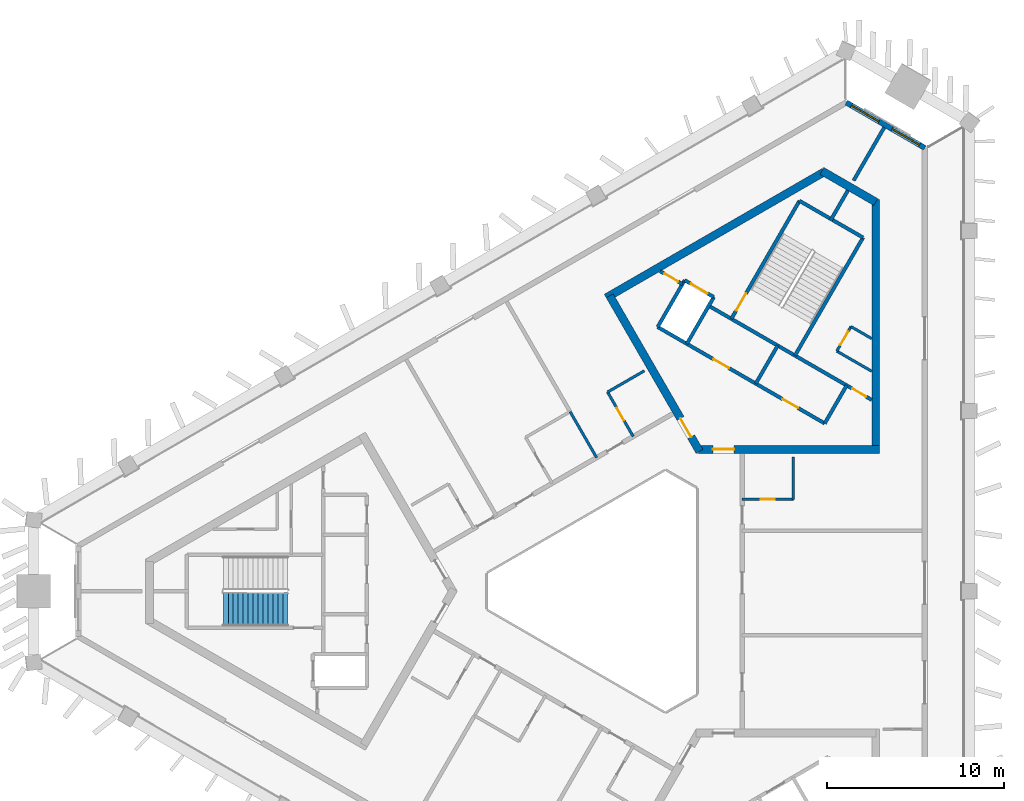
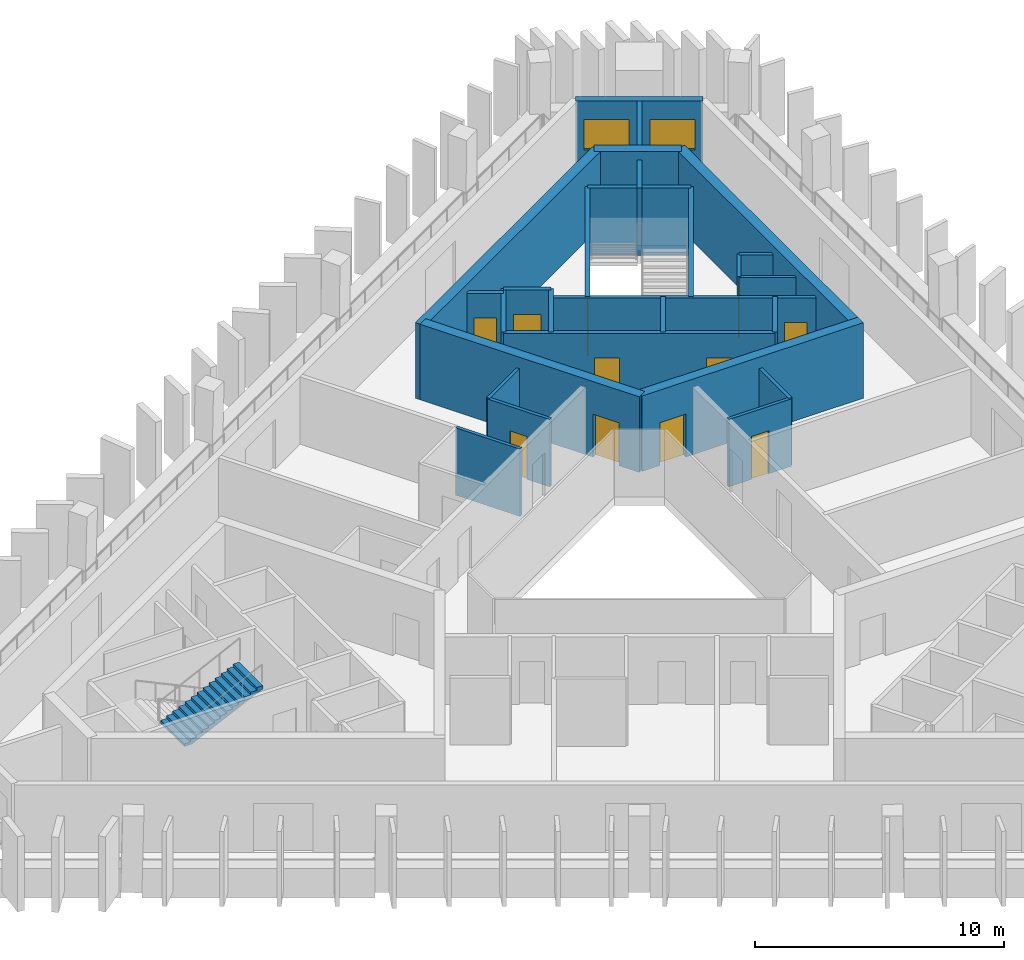
# One storey, part 5 of 9: 27 walls, 11 doors, 2 windows, 1 stair flight, 13 openings, 1 element without a shape of its own.
"""IFC4 building model written with IfcOpenShell, lengths in metres."""

import ifcopenshell
import ifcopenshell.guid

model = None  # the IFC model being written
_history = None  # IfcOwnerHistory: only IFC2X3 demands one
_inside = {}  # id of a spatial element -> (the spatial element, [elements in it])
_under = {}  # id of a project, library or spatial element -> (it, [spatial elements below it])
_declared = {}  # id of a project -> (the project, [libraries it declares])
_typed = {}  # id of a type object -> (the type object, [elements of that type])
_made_of = {}  # id of a material, layer set ... -> (it, [elements and type objects made of it])


def new_model(schema):
    """Start an empty IFC model of exactly this schema.

    Asked for "IFC4X3", IfcOpenShell would pick the latest addendum, in which some entities
    have other attributes; the version numbers below select the first issue.
    IFC2X3 requires an IfcOwnerHistory on every rooted entity: one is made here for all.
    """
    global model, _history
    if schema == "IFC4X3":
        model = ifcopenshell.file(schema_version=(4, 3, 0, 0))
    else:
        model = ifcopenshell.file(schema=schema)
    _inside.clear()
    _under.clear()
    _declared.clear()
    _typed.clear()
    _made_of.clear()
    _history = None
    if model.schema == "IFC2X3":
        org = make("IfcOrganization", Name="unknown")
        user = make(
            "IfcPersonAndOrganization",
            ThePerson=make("IfcPerson", FamilyName="unknown"),
            TheOrganization=org,
        )
        app = make(
            "IfcApplication",
            ApplicationDeveloper=org,
            Version="unknown",
            ApplicationFullName="unknown",
            ApplicationIdentifier="unknown",
        )
        _history = make(
            "IfcOwnerHistory",
            OwningUser=user,
            OwningApplication=app,
            ChangeAction="ADDED",
            CreationDate=0,
        )
    return model


def make(cls, **values):
    """One entity of the class cls with the attributes given. An attribute that is None is left unset."""
    return model.create_entity(
        cls, **{name: value for name, value in values.items() if value is not None}
    )


def rooted(cls, **values):
    """An entity with a GlobalId (a new one), such as an element, a storey or a relation."""
    return make(cls, GlobalId=ifcopenshell.guid.new(), OwnerHistory=_history, **values)


def si_unit(unit_type, name, prefix=None):
    """IfcSIUnit, for example si_unit("LENGTHUNIT", "METRE", prefix="MILLI")."""
    return make("IfcSIUnit", UnitType=unit_type, Prefix=prefix, Name=name)


def assignment(units):
    """IfcUnitAssignment: the units of a project."""
    return None if units is None else make("IfcUnitAssignment", Units=units)


def point(xyz):
    """IfcCartesianPoint."""
    return None if xyz is None else make("IfcCartesianPoint", Coordinates=xyz)


def direction(xyz):
    """IfcDirection."""
    return None if xyz is None else make("IfcDirection", DirectionRatios=xyz)


def frame(location, z_axis=None, x_axis=None):
    """IfcAxis2Placement3D, a coordinate frame: its origin and axes. An axis left out is left unset."""
    return make(
        "IfcAxis2Placement3D",
        Location=point(location),
        Axis=direction(z_axis),
        RefDirection=direction(x_axis),
    )


def frame_2d(location, x_axis=None):
    """IfcAxis2Placement2D, a coordinate frame in the plane: its origin and x axis."""
    return make(
        "IfcAxis2Placement2D", Location=point(location), RefDirection=direction(x_axis)
    )


def origin():
    """The frame at (0, 0, 0) with its axes left unset."""
    return frame((0.0, 0.0, 0.0))


def place(relative_to, where):
    """IfcLocalPlacement: puts the frame where relative to a parent placement (None: the world)."""
    return make(
        "IfcLocalPlacement", PlacementRelTo=relative_to, RelativePlacement=where
    )


def context(
    kind, dimensions, precision=None, world=None, true_north=None, identifier=None
):
    """IfcGeometricRepresentationContext, for example the 3D "Model" context."""
    return make(
        "IfcGeometricRepresentationContext",
        ContextIdentifier=identifier,
        ContextType=kind,
        CoordinateSpaceDimension=dimensions,
        Precision=precision,
        WorldCoordinateSystem=world,
        TrueNorth=true_north,
    )


def subcontext(parent, identifier, kind, view, scale=None):
    """IfcGeometricRepresentationSubContext, for example "Body" below "Model"."""
    return make(
        "IfcGeometricRepresentationSubContext",
        ContextIdentifier=identifier,
        ContextType=kind,
        ParentContext=parent,
        TargetScale=scale,
        TargetView=view,
    )


def project(units=None, contexts=None):
    """IfcProject with its units and contexts."""
    return rooted(
        "IfcProject",
        Name="project",
        RepresentationContexts=contexts,
        UnitsInContext=assignment(units),
    )


def spatial(cls, under=None, at=None, **own):
    """A site, building, storey or space (cls), placed at a placement, below another one or the project."""
    s = rooted(cls, ObjectPlacement=at, **own)
    if under is not None:
        _under.setdefault(under.id(), (under, []))[1].append(s)
    return s


def polyline(points):
    """IfcPolyline through the points."""
    return make("IfcPolyline", Points=[point(p) for p in points])


def profile(cls, at=None, kind="AREA", **sizes):
    """A parametric profile (cls). Its sizes go by their IFC names, for example OverallWidth=200.0."""
    return make(cls, ProfileType=kind, Position=at, **sizes)


def rectangle(**sizes):
    """IfcRectangleProfileDef."""
    return profile("IfcRectangleProfileDef", **sizes)


def outline(outer, holes=None, kind="AREA"):
    """IfcArbitraryClosedProfileDef: a profile drawn as a closed curve; with holes, ...WithVoids."""
    if holes is None:
        return make("IfcArbitraryClosedProfileDef", ProfileType=kind, OuterCurve=outer)
    return make(
        "IfcArbitraryProfileDefWithVoids",
        ProfileType=kind,
        OuterCurve=outer,
        InnerCurves=holes,
    )


def extrude(swept, where, along, depth):
    """IfcExtrudedAreaSolid: the profile swept, set in the frame where, extruded along a direction by depth."""
    return make(
        "IfcExtrudedAreaSolid",
        SweptArea=swept,
        Position=where,
        ExtrudedDirection=direction(along),
        Depth=depth,
    )


def shape(context_of_items, identifier, shape_type, items):
    """IfcShapeRepresentation: the items that make up one representation, for example the "Body"."""
    return make(
        "IfcShapeRepresentation",
        ContextOfItems=context_of_items,
        RepresentationIdentifier=identifier,
        RepresentationType=shape_type,
        Items=items,
    )


def material(Name=None, Category=None):
    """IfcMaterial."""
    return make("IfcMaterial", Name=Name, Category=Category)


def layer(
    of_material, thickness, ventilated=None, Name=None, Category=None, Priority=None
):
    """IfcMaterialLayer: one layer of a wall or slab, of a material (None: an air gap)."""
    return make(
        "IfcMaterialLayer",
        Material=of_material,
        LayerThickness=thickness,
        IsVentilated=ventilated,
        Name=Name,
        Category=Category,
        Priority=Priority,
    )


def layer_set(layers, Name=None):
    """IfcMaterialLayerSet."""
    return make("IfcMaterialLayerSet", MaterialLayers=layers, LayerSetName=Name)


def made_of(thing, what):
    """Note that an element or type object is made of a material, layer set ...; save() writes the relation."""
    if what is not None:
        _made_of.setdefault(what.id(), (what, []))[1].append(thing)
    return thing


def type_object(cls, material=None, **own):
    """A type object (cls), such as IfcWallType, which elements share."""
    return made_of(rooted(cls, **own), material)


def element(
    cls,
    number,
    at=None,
    inside=None,
    cuts=None,
    type_object=None,
    material=None,
    context=None,
    identifier="Body",
    shape_type=None,
    held_by="IfcProductDefinitionShape",
    body=None,
    shapes=None,
    **own,
):
    """One element of the class cls, such as IfcWall. Its Tag is "e" and its number.

    at: its placement. inside: the storey or other place that contains it. cuts: it is an
    opening in that element (IfcRelVoidsElement). A single representation is given by context,
    identifier, shape_type and body (its items); several are given by shapes. held_by: the class
    of the entity that holds the representations. save() writes the other relations.
    """
    e = rooted(cls, Tag="e%d" % number, ObjectPlacement=at, **own)
    if body is not None:
        shapes = [shape(context, identifier, shape_type, body)]
    if shapes is not None:
        e.Representation = make(held_by, Representations=shapes)
    if inside is not None:
        _inside.setdefault(inside.id(), (inside, []))[1].append(e)
    if cuts is not None:
        rooted(
            "IfcRelVoidsElement", RelatingBuildingElement=cuts, RelatedOpeningElement=e
        )
    if type_object is not None:
        _typed.setdefault(type_object.id(), (type_object, []))[1].append(e)
    return made_of(e, material)


def fill(opening, filler):
    """IfcRelFillsElement: the door or window that sits in an opening."""
    return rooted(
        "IfcRelFillsElement",
        RelatingOpeningElement=opening,
        RelatedBuildingElement=filler,
    )


def aggregate(whole, parts):
    """IfcRelAggregates: a whole, such as a stair, and the parts it consists of."""
    return rooted("IfcRelAggregates", RelatingObject=whole, RelatedObjects=parts)


def save(model, path):
    """Write the relations noted so far, then the file.

    IfcRelAggregates (storeys below a building ...), IfcRelContainedInSpatialStructure (elements
    in a storey), IfcRelDefinesByType, IfcRelAssociatesMaterial and IfcRelDeclares: one each for
    every whole, place, type object, material and project.
    """
    for whole, parts in _under.values():
        aggregate(whole, parts)
    for where, things in _inside.values():
        rooted(
            "IfcRelContainedInSpatialStructure",
            RelatedElements=things,
            RelatingStructure=where,
        )
    for kind, things in _typed.values():
        rooted("IfcRelDefinesByType", RelatedObjects=things, RelatingType=kind)
    for what, things in _made_of.values():
        rooted("IfcRelAssociatesMaterial", RelatedObjects=things, RelatingMaterial=what)
    for by, libraries in _declared.values():
        rooted("IfcRelDeclares", RelatingContext=by, RelatedDefinitions=libraries)
    model.write(path)


model = new_model("IFC4")

# Units and contexts
model_context = context("Model", 3, precision=1e-05, world=origin(), true_north=direction((0.0, 1.0)))
body_context = subcontext(model_context, "Body", "Model", "MODEL_VIEW")
ifc_project = project(units=[si_unit("LENGTHUNIT", "METRE"), si_unit("AREAUNIT", "SQUARE_METRE"), si_unit("VOLUMEUNIT", "CUBIC_METRE"), si_unit("PLANEANGLEUNIT", "RADIAN"), si_unit("MASSUNIT", "GRAM", prefix="KILO")], contexts=[model_context])

# Site, building, storey
site_placement = place(None, origin())
site = spatial("IfcSite", under=ifc_project, at=site_placement, CompositionType="ELEMENT")
building_placement = place(site_placement, origin())
building = spatial("IfcBuilding", under=site, at=building_placement, Name="Jabali Bay Hotel Tower and Convention Centre", CompositionType="ELEMENT")
storey_placement = place(building_placement, frame((0.0, 0.0, 231.699951171875)))
storey = spatial("IfcBuildingStorey", under=building, at=storey_placement, Name="L57", CompositionType="ELEMENT", Elevation=231.699951171875)

# Wall
ifc_material_1 = material(Name="Concrete C40", Category="concrete")
ifc_layer_1 = layer(ifc_material_1, 0.199951171875)
ifc_layer_set_1 = layer_set([ifc_layer_1], Name="Concrete C40")
wall_type_1 = type_object("IfcWallType", Name="Core partition wall 200", PredefinedType="PARTITIONING", material=ifc_layer_set_1)
wall_1_placement = place(storey_placement, frame((87.090087890625, 100.9404296875, 0.0), z_axis=(0.0, 0.0, 1.0), x_axis=(0.500011643316, 0.866018681408, 0.0)))
element("IfcWall", 1, at=wall_1_placement, inside=storey, type_object=wall_type_1, Name="Core wall 1.4 L57", PredefinedType="PARTITIONING", context=body_context, shape_type="SweptSolid", body=[
    extrude(rectangle(XDim=1.97314453125, YDim=0.199951171875, at=frame_2d((0.986572265625, 0.0))), origin(), (0.0, 0.0, 1.0), 3.300048828125),
])

# Wall, opening, door
wall_2_placement = place(storey_placement, frame((78.730224609375, 97.36083984375, 0.0), z_axis=(0.0, 0.0, 1.0), x_axis=(-0.866045896294, 0.499964504253, 0.0)))
wall_2 = element("IfcWall", 2, at=wall_2_placement, inside=storey, type_object=wall_type_1, Name="Core wall 1.10 L57", PredefinedType="PARTITIONING", context=body_context, shape_type="SweptSolid", body=[
    extrude(rectangle(XDim=1.455078125, YDim=0.199951171875, at=frame_2d((0.7275390625, 0.0))), origin(), (0.0, 0.0, 1.0), 3.300048828125),
])
opening_1_placement = place(wall_2_placement, frame((0.277587890625, 0.0, 0.0)))
opening_1 = element("IfcOpeningElement", 3, at=opening_1_placement, cuts=wall_2, Name="Opening D1247", PredefinedType="OPENING", context=body_context, shape_type="SweptSolid", body=[
    extrude(rectangle(XDim=0.89990234375, YDim=2.10009765625, at=frame_2d((0.449951171875, 1.050048828125))), frame((0.0, 0.1103515625, 0.0), z_axis=(0.0, -1.0, 0.0), x_axis=(1.0, 0.0, 0.0)), (0.0, 0.0, 1.0), 0.220947265625),
])
ifc_material_2 = material(Name="Fire-rated steel door", Category="steel")
door_type_1 = type_object("IfcDoorType", Name="Vestibule fire door 900 x 2100", OperationType="NOTDEFINED", PredefinedType="NOTDEFINED", material=ifc_material_2)
door_1_placement = place(opening_1_placement, origin())
door_1 = element("IfcDoor", 4, at=door_1_placement, inside=storey, type_object=door_type_1, Name="Vestibule fire door D1247", OperationType="SINGLE_SWING_LEFT", OverallHeight=2.10009765625, OverallWidth=0.89990234375, PredefinedType="NOTDEFINED", context=body_context, shape_type="SweptSolid", body=[
    extrude(rectangle(XDim=0.89990234375, YDim=2.10009765625, at=frame_2d((0.449951171875, 1.050048828125))), frame((0.0, 0.02490234375, 0.0), z_axis=(0.0, -1.0, 0.0), x_axis=(1.0, 0.0, 0.0)), (0.0, 0.0, 1.0), 0.050048828125),
])
fill(opening_1, door_1)

ifc_material_3 = material(Name="Fire-rated board partition")
ifc_layer_2 = layer(ifc_material_3, 0.14990234375)
ifc_layer_set_2 = layer_set([ifc_layer_2], Name="Fire-rated board partition")
wall_type_2 = type_object("IfcWallType", Name="Core room partition 150", PredefinedType="PARTITIONING", material=ifc_layer_set_2)
wall_3_placement = place(storey_placement, frame((87.4541015625, 93.571044921875, 0.0), z_axis=(0.0, 0.0, 1.0), x_axis=(0.499995408039, 0.866028054938, 0.0)))
wall_3 = element("IfcWall", 5, at=wall_3_placement, inside=storey, type_object=wall_type_2, Name="Core wall 1.1 L57", PredefinedType="PARTITIONING", context=body_context, shape_type="SweptSolid", body=[
    extrude(rectangle(XDim=1.60009765625, YDim=0.14990234375, at=frame_2d((0.800048828125, 0.0))), origin(), (0.0, 0.0, 1.0), 3.300048828125),
])
opening_2_placement = place(wall_3_placement, frame((0.387451171875, 0.0, 0.0)))
opening_2 = element("IfcOpeningElement", 6, at=opening_2_placement, cuts=wall_3, Name="Opening D1250", PredefinedType="OPENING", context=body_context, shape_type="SweptSolid", body=[
    extrude(rectangle(XDim=0.89990234375, YDim=2.10009765625, at=frame_2d((0.449951171875, 1.050048828125))), frame((0.0, 0.08544921875, 0.0), z_axis=(0.0, -1.0, 0.0), x_axis=(1.0, 0.0, 0.0)), (0.0, 0.0, 1.0), 0.1708984375),
])
door_type_2 = type_object("IfcDoorType", Name="Core room door 900 x 2100", OperationType="NOTDEFINED", PredefinedType="NOTDEFINED", material=ifc_material_2)
door_2_placement = place(opening_2_placement, origin())
door_2 = element("IfcDoor", 7, at=door_2_placement, inside=storey, type_object=door_type_2, Name="Core room door D1250", OperationType="SINGLE_SWING_LEFT", OverallHeight=2.10009765625, OverallWidth=0.89990234375, PredefinedType="NOTDEFINED", context=body_context, shape_type="SweptSolid", body=[
    extrude(rectangle(XDim=0.89990234375, YDim=2.10009765625, at=frame_2d((0.449951171875, 1.050048828125))), frame((0.0, 0.02490234375, 0.0), z_axis=(0.0, -1.0, 0.0), x_axis=(1.0, 0.0, 0.0)), (0.0, 0.0, 1.0), 0.050048828125),
])
fill(opening_2, door_2)

# Walls
wall_4_placement = place(storey_placement, frame((89.429931640625, 92.430419921875, 0.0), z_axis=(0.0, 0.0, 1.0), x_axis=(-0.866048373726, 0.499960212783, 0.0)))
element("IfcWall", 8, at=wall_4_placement, inside=storey, type_object=wall_type_2, Name="Core wall 1.12 L57", PredefinedType="PARTITIONING", context=body_context, shape_type="SweptSolid", body=[
    extrude(rectangle(XDim=2.281494140625, YDim=0.14990234375, at=frame_2d((1.140625, 0.0))), origin(), (0.0, 0.0, 1.0), 3.300048828125),
])
wall_5_placement = place(storey_placement, frame((89.429931640625, 94.27783203125, 0.0), z_axis=(0.0, 0.0, 1.0), x_axis=(-0.865987941628, 0.500064880745, 0.0)))
element("IfcWall", 9, at=wall_5_placement, inside=storey, type_object=wall_type_2, Name="Core wall 1.13 L57", PredefinedType="PARTITIONING", context=body_context, shape_type="SweptSolid", body=[
    extrude(rectangle(XDim=1.357666015625, YDim=0.14990234375, at=frame_2d((0.6787109375, 0.0))), origin(), (0.0, 0.0, 1.0), 3.300048828125),
])
ifc_layer_3 = layer(ifc_material_1, 0.199951171875)
ifc_layer_set_3 = layer_set([ifc_layer_3], Name="Concrete C40")
wall_type_3 = type_object("IfcWallType", Name="Core stair wall 200", PredefinedType="SOLIDWALL", material=ifc_layer_set_3)
wall_6_placement = place(storey_placement, frame((86.769775390625, 89.48583984375, 0.0), z_axis=(0.0, 0.0, 1.0), x_axis=(0.499961042966, 0.86604789447, 0.0)))
element("IfcWall", 10, at=wall_6_placement, inside=storey, type_object=wall_type_3, Name="Core wall 1.0 L57", PredefinedType="SOLIDWALL", context=body_context, shape_type="SweptSolid", body=[
    extrude(rectangle(XDim=2.480224609375, YDim=0.199951171875, at=frame_2d((1.240234375, 0.0))), origin(), (0.0, 0.0, 1.0), 3.300048828125),
])
wall_7_placement = place(storey_placement, frame((85.0869140625, 93.3212890625, 0.0), z_axis=(0.0, 0.0, 1.0), x_axis=(0.500019787375, 0.866013979237, 0.0)))
element("IfcWall", 11, at=wall_7_placement, inside=storey, type_object=wall_type_3, Name="Core wall 1.2 L57", PredefinedType="SOLIDWALL", context=body_context, shape_type="SweptSolid", body=[
    extrude(rectangle(XDim=7.699951171875, YDim=0.199951171875, at=frame_2d((3.85009765625, 0.0))), origin(), (0.0, 0.0, 1.0), 3.300048828125),
])
wall_8_placement = place(storey_placement, frame((82.872802734375, 91.73583984375, 0.0), z_axis=(0.0, 0.0, 1.0), x_axis=(0.499961042966, 0.86604789447, 0.0)))
element("IfcWall", 12, at=wall_8_placement, inside=storey, type_object=wall_type_3, Name="Core wall 1.3 L57", PredefinedType="SOLIDWALL", context=body_context, shape_type="SweptSolid", body=[
    extrude(rectangle(XDim=2.480224609375, YDim=0.199951171875, at=frame_2d((1.240234375, 0.0))), origin(), (0.0, 0.0, 1.0), 3.300048828125),
])

# Wall, opening, door
wall_9_placement = place(storey_placement, frame((81.492919921875, 95.396240234375, 0.0), z_axis=(0.0, 0.0, 1.0), x_axis=(0.500006057782, 0.866021906294, 0.0)))
wall_9 = element("IfcWall", 13, at=wall_9_placement, inside=storey, type_object=wall_type_3, Name="Core wall 1.5 L57", PredefinedType="SOLIDWALL", context=body_context, shape_type="SweptSolid", body=[
    extrude(rectangle(XDim=7.7001953125, YDim=0.199951171875, at=frame_2d((3.85009765625, 0.0))), origin(), (0.0, 0.0, 1.0), 3.300048828125),
])
opening_3_placement = place(wall_9_placement, frame((0.550048828125, 0.0, 0.0)))
opening_3 = element("IfcOpeningElement", 14, at=opening_3_placement, cuts=wall_9, Name="Opening D1249", PredefinedType="OPENING", context=body_context, shape_type="SweptSolid", body=[
    extrude(rectangle(XDim=1.10009765625, YDim=2.10009765625, at=frame_2d((0.550048828125, 1.050048828125))), frame((0.0, 0.1103515625, 0.0), z_axis=(0.0, -1.0, 0.0), x_axis=(1.0, 0.0, 0.0)), (0.0, 0.0, 1.0), 0.220947265625),
])
door_type_3 = type_object("IfcDoorType", Name="Stair fire door 1100 x 2100", OperationType="NOTDEFINED", PredefinedType="NOTDEFINED", material=ifc_material_2)
door_3_placement = place(opening_3_placement, origin())
door_3 = element("IfcDoor", 15, at=door_3_placement, inside=storey, type_object=door_type_3, Name="Stair fire door D1249", OperationType="SINGLE_SWING_RIGHT", OverallHeight=2.10009765625, OverallWidth=1.10009765625, PredefinedType="NOTDEFINED", context=body_context, shape_type="SweptSolid", body=[
    extrude(rectangle(XDim=1.10009765625, YDim=2.10009765625, at=frame_2d((0.550048828125, 1.050048828125))), frame((0.0, 0.02490234375, 0.0), z_axis=(0.0, -1.0, 0.0), x_axis=(1.0, 0.0, 0.0)), (0.0, 0.0, 1.0), 0.050048828125),
])
fill(opening_3, door_3)

# Walls
for number, where, z_axis, x_axis, name in (
    (16, (78.9755859375, 93.98583984375, 0.0), (0.0, 0.0, 1.0), (0.499944174705, 0.866057632134, 0.0), "Core wall 1.6 L57"),
    (17, (77.330078125, 94.93603515625, 0.0), (0.0, 0.0, 1.0), (0.500038867431, 0.8660029625, 0.0), "Core wall 1.7 L57"),
):
    element("IfcWall", number, at=place(storey_placement, frame(where, z_axis=z_axis, x_axis=x_axis)), inside=storey, type_object=wall_type_3, Name=name, PredefinedType="SOLIDWALL", context=body_context, shape_type="SweptSolid", body=[
        extrude(rectangle(XDim=3.050048828125, YDim=0.199951171875, at=frame_2d((1.52490234375, 0.0))), origin(), (0.0, 0.0, 1.0), 3.300048828125),
    ])

# Wall, openings, doors
wall_10_placement = place(storey_placement, frame((86.769775390625, 89.48583984375, 0.0), z_axis=(0.0, 0.0, 1.0), x_axis=(-0.86601811187, 0.500012629753, 0.0)))
wall_10 = element("IfcWall", 18, at=wall_10_placement, inside=storey, type_object=wall_type_3, Name="Core wall 1.8 L57", PredefinedType="SOLIDWALL", context=body_context, shape_type="SweptSolid", body=[
    extrude(rectangle(XDim=10.900146484375, YDim=0.199951171875, at=frame_2d((5.4501953125, 0.0))), origin(), (0.0, 0.0, 1.0), 3.300048828125),
])
opening_4_placement = place(wall_10_placement, frame((1.75, 0.0, 0.0)))
opening_4 = element("IfcOpeningElement", 19, at=opening_4_placement, cuts=wall_10, Name="Opening D1245", PredefinedType="OPENING", context=body_context, shape_type="SweptSolid", body=[
    extrude(rectangle(XDim=1.0, YDim=2.10009765625, at=frame_2d((0.5, 1.050048828125))), frame((0.0, 0.1103515625, 0.0), z_axis=(0.0, -1.0, 0.0), x_axis=(1.0, 0.0, 0.0)), (0.0, 0.0, 1.0), 0.220947265625),
])
opening_5_placement = place(wall_10_placement, frame((6.25, 0.0, 0.0)))
opening_5 = element("IfcOpeningElement", 20, at=opening_5_placement, cuts=wall_10, Name="Opening D1246", PredefinedType="OPENING", context=body_context, shape_type="SweptSolid", body=[
    extrude(rectangle(XDim=1.0, YDim=2.10009765625, at=frame_2d((0.5, 1.050048828125))), frame((0.0, 0.1103515625, 0.0), z_axis=(0.0, -1.0, 0.0), x_axis=(1.0, 0.0, 0.0)), (0.0, 0.0, 1.0), 0.220947265625),
])
door_type_4 = type_object("IfcDoorType", Name="Core room door 1000 x 2100", OperationType="NOTDEFINED", PredefinedType="NOTDEFINED", material=ifc_material_2)
door_4_placement = place(opening_4_placement, origin())
door_4 = element("IfcDoor", 21, at=door_4_placement, inside=storey, type_object=door_type_4, Name="Core room door D1245", OperationType="SINGLE_SWING_RIGHT", OverallHeight=2.10009765625, OverallWidth=1.0, PredefinedType="NOTDEFINED", context=body_context, shape_type="SweptSolid", body=[
    extrude(rectangle(XDim=1.0, YDim=2.10009765625, at=frame_2d((0.5, 1.050048828125))), frame((0.0, 0.02490234375, 0.0), z_axis=(0.0, -1.0, 0.0), x_axis=(1.0, 0.0, 0.0)), (0.0, 0.0, 1.0), 0.050048828125),
])
fill(opening_4, door_4)
door_5_placement = place(opening_5_placement, origin())
door_5 = element("IfcDoor", 22, at=door_5_placement, inside=storey, type_object=door_type_4, Name="Core room door D1246", OperationType="SINGLE_SWING_RIGHT", OverallHeight=2.10009765625, OverallWidth=1.0, PredefinedType="NOTDEFINED", context=body_context, shape_type="SweptSolid", body=[
    extrude(rectangle(XDim=1.0, YDim=2.10009765625, at=frame_2d((0.5, 1.050048828125))), frame((0.0, 0.02490234375, 0.0), z_axis=(0.0, -1.0, 0.0), x_axis=(1.0, 0.0, 0.0)), (0.0, 0.0, 1.0), 0.050048828125),
])
fill(opening_5, door_5)

# Wall, opening, door
wall_11_placement = place(storey_placement, frame((89.429931640625, 90.813720703125, 0.0), z_axis=(0.0, 0.0, 1.0), x_axis=(-0.866018983788, 0.500011119594, 0.0)))
wall_11 = element("IfcWall", 23, at=wall_11_placement, inside=storey, type_object=wall_type_3, Name="Core wall 1.9 L57", PredefinedType="SOLIDWALL", context=body_context, shape_type="SweptSolid", body=[
    extrude(rectangle(XDim=10.639892578125, YDim=0.199951171875, at=frame_2d((5.31982421875, 0.0))), origin(), (0.0, 0.0, 1.0), 3.300048828125),
])
opening_6_placement = place(wall_11_placement, frame((0.369873046875, 0.0, 0.0)))
opening_6 = element("IfcOpeningElement", 24, at=opening_6_placement, cuts=wall_11, Name="Opening D1248", PredefinedType="OPENING", context=body_context, shape_type="SweptSolid", body=[
    extrude(rectangle(XDim=0.89990234375, YDim=2.10009765625, at=frame_2d((0.449951171875, 1.050048828125))), frame((0.0, 0.1103515625, 0.0), z_axis=(0.0, -1.0, 0.0), x_axis=(1.0, 0.0, 0.0)), (0.0, 0.0, 1.0), 0.220947265625),
])
door_6_placement = place(opening_6_placement, origin())
door_6 = element("IfcDoor", 25, at=door_6_placement, inside=storey, type_object=door_type_1, Name="Vestibule fire door D1248", OperationType="SINGLE_SWING_LEFT", OverallHeight=2.10009765625, OverallWidth=0.89990234375, PredefinedType="NOTDEFINED", context=body_context, shape_type="SweptSolid", body=[
    extrude(rectangle(XDim=0.89990234375, YDim=2.10009765625, at=frame_2d((0.449951171875, 1.050048828125))), frame((0.0, 0.02490234375, 0.0), z_axis=(0.0, -1.0, 0.0), x_axis=(1.0, 0.0, 0.0)), (0.0, 0.0, 1.0), 0.050048828125),
])
fill(opening_6, door_6)

wall_12_placement = place(storey_placement, frame((80.50048828125, 96.62744140625, 0.0), z_axis=(0.0, 0.0, 1.0), x_axis=(-0.86601224135, 0.500022797313, 0.0)))
wall_12 = element("IfcWall", 26, at=wall_12_placement, inside=storey, type_object=wall_type_3, Name="Core wall 1.11 L57", PredefinedType="SOLIDWALL", context=body_context, shape_type="SweptSolid", body=[
    extrude(rectangle(XDim=1.89990234375, YDim=0.199951171875, at=frame_2d((0.949951171875, 0.0))), origin(), (0.0, 0.0, 1.0), 3.300048828125),
])
opening_7_placement = place(wall_12_placement, frame((0.39990234375, 0.0, 0.0)))
opening_7 = element("IfcOpeningElement", 27, at=opening_7_placement, cuts=wall_12, Name="Opening LD10-L57", PredefinedType="OPENING", context=body_context, shape_type="SweptSolid", body=[
    extrude(rectangle(XDim=1.10009765625, YDim=2.10009765625, at=frame_2d((0.550048828125, 1.050048828125))), frame((0.0, 0.1103515625, 0.0), z_axis=(0.0, -1.0, 0.0), x_axis=(1.0, 0.0, 0.0)), (0.0, 0.0, 1.0), 0.220947265625),
])
ifc_material_4 = material(Name="Stainless steel landing door", Category="steel")
door_type_5 = type_object("IfcDoorType", Name="Landing door 1100 x 2100", OperationType="NOTDEFINED", PredefinedType="NOTDEFINED", material=ifc_material_4)
door_7_placement = place(opening_7_placement, origin())
door_7 = element("IfcDoor", 28, at=door_7_placement, inside=storey, type_object=door_type_5, Name="Landing doors LD10-L57", OperationType="SLIDING_TO_RIGHT", OverallHeight=2.10009765625, OverallWidth=1.10009765625, PredefinedType="NOTDEFINED", context=body_context, shape_type="SweptSolid", body=[
    extrude(rectangle(XDim=1.10009765625, YDim=2.10009765625, at=frame_2d((0.550048828125, 1.050048828125))), frame((0.0, 0.02490234375, 0.0), z_axis=(0.0, -1.0, 0.0), x_axis=(1.0, 0.0, 0.0)), (0.0, 0.0, 1.0), 0.050048828125),
])
fill(opening_7, door_7)

# Wall
wall_13_placement = place(storey_placement, frame((88.93701171875, 99.989501953125, 0.0), z_axis=(0.0, 0.0, 1.0), x_axis=(-0.866004344652, 0.500036473714, 0.0)))
element("IfcWall", 29, at=wall_13_placement, inside=storey, type_object=wall_type_3, Name="Core wall 1.14 L57", PredefinedType="SOLIDWALL", context=body_context, shape_type="SweptSolid", body=[
    extrude(rectangle(XDim=4.150146484375, YDim=0.199951171875, at=frame_2d((2.0751953125, 0.0))), origin(), (0.0, 0.0, 1.0), 3.300048828125),
])

# Wall, opening, door
ifc_material_5 = material(Name="Concrete C60", Category="concrete")
ifc_layer_4 = layer(ifc_material_5, 0.449951171875)
ifc_layer_set_4 = layer_set([ifc_layer_4], Name="Concrete C60")
wall_type_4 = type_object("IfcWallType", Name="Core wall 450", PredefinedType="SHEAR", material=ifc_layer_set_4)
wall_14_placement = place(storey_placement, frame((79.6298828125, 88.019287109375, 0.0), z_axis=(0.0, 0.0, 1.0), x_axis=(1.0, 0.0, 0.0)))
wall_14 = element("IfcWall", 30, at=wall_14_placement, inside=storey, type_object=wall_type_4, Name="Core wall 2.1 L57", PredefinedType="SHEAR", context=body_context, shape_type="SweptSolid", body=[
    extrude(rectangle(XDim=10.25, YDim=0.449951171875, at=frame_2d((5.125, 0.0))), origin(), (0.0, 0.0, 1.0), 3.699951171875),
])
opening_8_placement = place(wall_14_placement, frame((0.820068359375, 0.0, 0.0)))
opening_8 = element("IfcOpeningElement", 31, at=opening_8_placement, cuts=wall_14, Name="Opening D1243", PredefinedType="OPENING", context=body_context, shape_type="SweptSolid", body=[
    extrude(rectangle(XDim=1.199951171875, YDim=2.10009765625, at=frame_2d((0.60009765625, 1.050048828125))), frame((0.0, 0.2353515625, 0.0), z_axis=(0.0, -1.0, 0.0), x_axis=(1.0, 0.0, 0.0)), (0.0, 0.0, 1.0), 0.470947265625),
])
door_type_6 = type_object("IfcDoorType", Name="Corridor end fire door 1200 x 2100", OperationType="NOTDEFINED", PredefinedType="NOTDEFINED", material=ifc_material_2)
door_8_placement = place(opening_8_placement, origin())
door_8 = element("IfcDoor", 32, at=door_8_placement, inside=storey, type_object=door_type_6, Name="Corridor end fire door D1243", OperationType="SINGLE_SWING_RIGHT", OverallHeight=2.10009765625, OverallWidth=1.199951171875, PredefinedType="NOTDEFINED", context=body_context, shape_type="SweptSolid", body=[
    extrude(rectangle(XDim=1.199951171875, YDim=2.10009765625, at=frame_2d((0.60009765625, 1.050048828125))), frame((0.0, 0.02490234375, 0.0), z_axis=(0.0, -1.0, 0.0), x_axis=(1.0, 0.0, 0.0)), (0.0, 0.0, 1.0), 0.050048828125),
])
fill(opening_8, door_8)

# Walls
wall_15_placement = place(storey_placement, frame((89.655029296875, 88.019287109375, 0.0), z_axis=(0.0, 0.0, 1.0), x_axis=(0.0, 1.0, 0.0)))
element("IfcWall", 33, at=wall_15_placement, inside=storey, type_object=wall_type_4, Name="Core wall 2.2 L57", PredefinedType="SHEAR", context=body_context, shape_type="SweptSolid", body=[
    extrude(rectangle(XDim=14.1083984375, YDim=0.449951171875, at=frame_2d((7.05419921875, 0.0))), origin(), (0.0, 0.0, 1.0), 3.699951171875),
])
wall_16_placement = place(storey_placement, frame((89.655029296875, 101.997802734375, 0.0), z_axis=(0.0, 0.0, 1.0), x_axis=(-0.866042179588, 0.49997094233, 0.0)))
element("IfcWall", 34, at=wall_16_placement, inside=storey, type_object=wall_type_4, Name="Core wall 2.3 L57", PredefinedType="SHEAR", context=body_context, shape_type="SweptSolid", body=[
    extrude(rectangle(XDim=3.515380859375, YDim=0.449951171875, at=frame_2d((1.7578125, 0.0))), origin(), (0.0, 0.0, 1.0), 3.699951171875),
])
wall_17_placement = place(storey_placement, frame((86.72314453125, 103.6904296875, 0.0), z_axis=(0.0, 0.0, 1.0), x_axis=(-0.866022713978, -0.500004658852, 0.0)))
element("IfcWall", 35, at=wall_17_placement, inside=storey, type_object=wall_type_4, Name="Core wall 2.4 L57", PredefinedType="SHEAR", context=body_context, shape_type="SweptSolid", body=[
    extrude(rectangle(XDim=14.203369140625, YDim=0.449951171875, at=frame_2d((7.1015625, 0.0))), origin(), (0.0, 0.0, 1.0), 3.699951171875),
])

# Wall, opening, door
wall_18_placement = place(storey_placement, frame((74.617431640625, 96.701171875, 0.0), z_axis=(0.0, 0.0, 1.0), x_axis=(0.499994385119, -0.866028645513, 0.0)))
wall_18 = element("IfcWall", 36, at=wall_18_placement, inside=storey, type_object=wall_type_4, Name="Core wall 2.5 L57", PredefinedType="SHEAR", context=body_context, shape_type="SweptSolid", body=[
    extrude(rectangle(XDim=10.15478515625, YDim=0.449951171875, at=frame_2d((5.077392578125, 0.0))), origin(), (0.0, 0.0, 1.0), 3.699951171875),
])
opening_9_placement = place(wall_18_placement, frame((8.0048828125, 0.0, 0.0)))
opening_9 = element("IfcOpeningElement", 37, at=opening_9_placement, cuts=wall_18, Name="Opening D1244", PredefinedType="OPENING", context=body_context, shape_type="SweptSolid", body=[
    extrude(rectangle(XDim=1.199951171875, YDim=2.10009765625, at=frame_2d((0.60009765625, 1.050048828125))), frame((0.0, 0.2353515625, 0.0), z_axis=(0.0, -1.0, 0.0), x_axis=(1.0, 0.0, 0.0)), (0.0, 0.0, 1.0), 0.470947265625),
])
door_9_placement = place(opening_9_placement, origin())
door_9 = element("IfcDoor", 38, at=door_9_placement, inside=storey, type_object=door_type_6, Name="Corridor end fire door D1244", OperationType="SINGLE_SWING_LEFT", OverallHeight=2.10009765625, OverallWidth=1.199951171875, PredefinedType="NOTDEFINED", context=body_context, shape_type="SweptSolid", body=[
    extrude(rectangle(XDim=1.199951171875, YDim=2.10009765625, at=frame_2d((0.60009765625, 1.050048828125))), frame((0.0, 0.02490234375, 0.0), z_axis=(0.0, -1.0, 0.0), x_axis=(1.0, 0.0, 0.0)), (0.0, 0.0, 1.0), 0.050048828125),
])
fill(opening_9, door_9)

# Wall, openings, windows
ifc_layer_5 = layer(ifc_material_1, 0.300048828125)
ifc_layer_set_5 = layer_set([ifc_layer_5], Name="Concrete C40")
wall_type_5 = type_object("IfcWallType", Name="External wall 300", PredefinedType="SOLIDWALL", material=ifc_layer_set_5)
wall_19_placement = place(storey_placement, frame((87.98779296875, 107.62255859375, 0.0), z_axis=(0.0, 0.0, 1.0), x_axis=(0.866010338203, -0.500026093444, 0.0)))
wall_19 = element("IfcWall", 39, at=wall_19_placement, inside=storey, type_object=wall_type_5, Name="External wall north-east chamfer L57", PredefinedType="SOLIDWALL", context=body_context, shape_type="SweptSolid", body=[
    extrude(rectangle(XDim=5.127197265625, YDim=0.300048828125, at=frame_2d((2.5634765625, 0.0))), origin(), (0.0, 0.0, 1.0), 3.300048828125),
])
opening_10_placement = place(wall_19_placement, frame((2.988037109375, 0.0, 0.89990234375)))
opening_10 = element("IfcOpeningElement", 40, at=opening_10_placement, cuts=wall_19, Name="Opening W1", PredefinedType="OPENING", context=body_context, shape_type="SweptSolid", body=[
    extrude(rectangle(XDim=1.800048828125, YDim=1.5, at=frame_2d((0.89990234375, 0.75))), frame((0.0, 0.16064453125, 0.0), z_axis=(0.0, -1.0, 0.0), x_axis=(1.0, 0.0, 0.0)), (0.0, 0.0, 1.0), 0.321044921875),
])
opening_11_placement = place(wall_19_placement, frame((0.3388671875, 0.0, 0.89990234375)))
opening_11 = element("IfcOpeningElement", 41, at=opening_11_placement, cuts=wall_19, Name="Opening W1", PredefinedType="OPENING", context=body_context, shape_type="SweptSolid", body=[
    extrude(rectangle(XDim=1.800048828125, YDim=1.5, at=frame_2d((0.89990234375, 0.75))), frame((0.0, 0.16064453125, 0.0), z_axis=(0.0, -1.0, 0.0), x_axis=(1.0, 0.0, 0.0)), (0.0, 0.0, 1.0), 0.321044921875),
])
ifc_material_6 = material(Name="Glass", Category="glass")
window_type = type_object("IfcWindowType", Name="Window 1800 x 1500", PartitioningType="SINGLE_PANEL", PredefinedType="WINDOW", material=ifc_material_6)
window_1_placement = place(opening_10_placement, origin())
window_1 = element("IfcWindow", 42, at=window_1_placement, inside=storey, type_object=window_type, Name="Window 5702", OverallHeight=1.5, OverallWidth=1.800048828125, PartitioningType="SINGLE_PANEL", PredefinedType="WINDOW", context=body_context, shape_type="SweptSolid", body=[
    extrude(rectangle(XDim=1.800048828125, YDim=1.5, at=frame_2d((0.89990234375, 0.75))), frame((0.0, 0.030029296875, 0.0), z_axis=(0.0, -1.0, 0.0), x_axis=(1.0, 0.0, 0.0)), (0.0, 0.0, 1.0), 0.06005859375),
])
fill(opening_10, window_1)
window_2_placement = place(opening_11_placement, origin())
window_2 = element("IfcWindow", 43, at=window_2_placement, inside=storey, type_object=window_type, Name="Window 5703", OverallHeight=1.5, OverallWidth=1.800048828125, PartitioningType="SINGLE_PANEL", PredefinedType="WINDOW", context=body_context, shape_type="SweptSolid", body=[
    extrude(rectangle(XDim=1.800048828125, YDim=1.5, at=frame_2d((0.89990234375, 0.75))), frame((0.0, 0.030029296875, 0.0), z_axis=(0.0, -1.0, 0.0), x_axis=(1.0, 0.0, 0.0)), (0.0, 0.0, 1.0), 0.06005859375),
])
fill(opening_11, window_2)

# Wall
ifc_material_7 = material(Name="Plasterboard on steel stud", Category="steel")
ifc_layer_6 = layer(ifc_material_7, 0.14990234375)
ifc_layer_set_6 = layer_set([ifc_layer_6], Name="Plasterboard on steel stud")
wall_type_6 = type_object("IfcWallType", Name="Partition 150 wet", PredefinedType="PARTITIONING", material=ifc_layer_set_6)
wall_20_placement = place(storey_placement, frame((85.0, 87.59521484375, 0.0), z_axis=(0.0, 0.0, 1.0), x_axis=(0.0, -1.0, 0.0)))
element("IfcWall", 44, at=wall_20_placement, inside=storey, type_object=wall_type_6, Name="Partition P03 L57 006", PredefinedType="PARTITIONING", context=body_context, shape_type="SweptSolid", body=[
    extrude(rectangle(XDim=2.40087890625, YDim=0.14990234375, at=frame_2d((1.200439453125, 0.0))), origin(), (0.0, 0.0, 1.0), 3.300048828125),
])

# Wall, opening, door
wall_21_placement = place(storey_placement, frame((85.0, 85.1943359375, 0.0), z_axis=(0.0, 0.0, 1.0), x_axis=(-1.0, 0.0, 0.0)))
wall_21 = element("IfcWall", 45, at=wall_21_placement, inside=storey, type_object=wall_type_6, Name="Partition P03 L57 007", PredefinedType="PARTITIONING", context=body_context, shape_type="SweptSolid", body=[
    extrude(rectangle(XDim=2.89990234375, YDim=0.14990234375, at=frame_2d((1.449951171875, 0.0))), origin(), (0.0, 0.0, 1.0), 3.300048828125),
])
opening_12_placement = place(wall_21_placement, frame((1.050048828125, 0.0, 0.0)))
opening_12 = element("IfcOpeningElement", 46, at=opening_12_placement, cuts=wall_21, Name="Opening 5705", PredefinedType="OPENING", context=body_context, shape_type="SweptSolid", body=[
    extrude(rectangle(XDim=0.800048828125, YDim=2.10009765625, at=frame_2d((0.39990234375, 1.050048828125))), frame((0.0, 0.08544921875, 0.0), z_axis=(0.0, -1.0, 0.0), x_axis=(1.0, 0.0, 0.0)), (0.0, 0.0, 1.0), 0.1708984375),
])
ifc_material_8 = material(Name="Timber", Category="wood")
door_type_7 = type_object("IfcDoorType", Name="En-suite door 800 x 2100", OperationType="NOTDEFINED", PredefinedType="NOTDEFINED", material=ifc_material_8)
door_10_placement = place(opening_12_placement, origin())
door_10 = element("IfcDoor", 47, at=door_10_placement, inside=storey, type_object=door_type_7, Name="Door 5705", OperationType="SINGLE_SWING_LEFT", OverallHeight=2.10009765625, OverallWidth=0.800048828125, PredefinedType="NOTDEFINED", context=body_context, shape_type="SweptSolid", body=[
    extrude(rectangle(XDim=0.800048828125, YDim=2.10009765625, at=frame_2d((0.39990234375, 1.050048828125))), frame((0.0, 0.02490234375, 0.0), z_axis=(0.0, -1.0, 0.0), x_axis=(1.0, 0.0, 0.0)), (0.0, 0.0, 1.0), 0.050048828125),
])
fill(opening_12, door_10)

wall_22_placement = place(storey_placement, frame((75.9482421875, 88.745849609375, 0.0), z_axis=(0.0, 0.0, 1.0), x_axis=(-0.499987231761, 0.866032775405, 0.0)))
wall_22 = element("IfcWall", 48, at=wall_22_placement, inside=storey, type_object=wall_type_6, Name="Partition P03 L57 009", PredefinedType="PARTITIONING", context=body_context, shape_type="SweptSolid", body=[
    extrude(rectangle(XDim=2.89990234375, YDim=0.14990234375, at=frame_2d((1.449951171875, 0.0))), origin(), (0.0, 0.0, 1.0), 3.300048828125),
])
opening_13_placement = place(wall_22_placement, frame((1.050048828125, 0.0, 0.0)))
opening_13 = element("IfcOpeningElement", 49, at=opening_13_placement, cuts=wall_22, Name="Opening 5707", PredefinedType="OPENING", context=body_context, shape_type="SweptSolid", body=[
    extrude(rectangle(XDim=0.800048828125, YDim=2.10009765625, at=frame_2d((0.39990234375, 1.050048828125))), frame((0.0, 0.08544921875, 0.0), z_axis=(0.0, -1.0, 0.0), x_axis=(1.0, 0.0, 0.0)), (0.0, 0.0, 1.0), 0.1708984375),
])
door_11_placement = place(opening_13_placement, origin())
door_11 = element("IfcDoor", 50, at=door_11_placement, inside=storey, type_object=door_type_7, Name="Door 5707", OperationType="SINGLE_SWING_RIGHT", OverallHeight=2.10009765625, OverallWidth=0.800048828125, PredefinedType="NOTDEFINED", context=body_context, shape_type="SweptSolid", body=[
    extrude(rectangle(XDim=0.800048828125, YDim=2.10009765625, at=frame_2d((0.39990234375, 1.050048828125))), frame((0.0, 0.02490234375, 0.0), z_axis=(0.0, -1.0, 0.0), x_axis=(1.0, 0.0, 0.0)), (0.0, 0.0, 1.0), 0.050048828125),
])
fill(opening_13, door_11)

# Walls
wall_23_placement = place(storey_placement, frame((74.498291015625, 91.25732421875, 0.0), z_axis=(0.0, 0.0, 1.0), x_axis=(0.866038271014, 0.499977712642, 0.0)))
element("IfcWall", 51, at=wall_23_placement, inside=storey, type_object=wall_type_6, Name="Partition P03 L57 010", PredefinedType="PARTITIONING", context=body_context, shape_type="SweptSolid", body=[
    extrude(rectangle(XDim=2.40087890625, YDim=0.14990234375, at=frame_2d((1.200439453125, 0.0))), origin(), (0.0, 0.0, 1.0), 3.300048828125),
])
wall_24_placement = place(storey_placement, frame((72.3798828125, 90.14990234375, 0.0), z_axis=(0.0, 0.0, 1.0), x_axis=(0.499990139034, -0.866031096941, 0.0)))
element("IfcWall", 52, at=wall_24_placement, inside=storey, type_object=wall_type_6, Name="Partition P03 L57 012", PredefinedType="PARTITIONING", context=body_context, shape_type="SweptSolid", body=[
    extrude(rectangle(XDim=3.0, YDim=0.14990234375, at=frame_2d((1.5, 0.0))), origin(), (0.0, 0.0, 1.0), 3.300048828125),
])
ifc_layer_7 = layer(ifc_material_7, 0.199951171875)
ifc_layer_set_7 = layer_set([ifc_layer_7], Name="Plasterboard on steel stud")
wall_type_7 = type_object("IfcWallType", Name="Partition 200 party", PredefinedType="PARTITIONING", material=ifc_layer_set_7)
wall_25_placement = place(storey_placement, frame((90.13427734375, 106.211181640625, 0.0), z_axis=(0.0, 0.0, 1.0), x_axis=(-0.500019299785, -0.866014260761, 0.0)))
element("IfcWall", 53, at=wall_25_placement, inside=storey, type_object=wall_type_7, Name="Partition P01 L57 008", PredefinedType="PARTITIONING", context=body_context, shape_type="SweptSolid", body=[
    extrude(rectangle(XDim=3.464599609375, YDim=0.199951171875, at=frame_2d((1.732421875, 0.0))), origin(), (0.0, 0.0, 1.0), 3.300048828125),
])

# Stair, stair flight
stair_type = type_object("IfcStairType", Name="Exit stair 1900", PredefinedType="HALF_TURN_STAIR", material=ifc_material_1)
stair_placement = place(storey_placement, origin())
stair = element("IfcStair", 54, at=stair_placement, inside=storey, type_object=stair_type, Name="L57 Exit Stair 1", PredefinedType="HALF_TURN_STAIR")
stair_flight_type = type_object("IfcStairFlightType", Name="Stair flight concrete 150", PredefinedType="STRAIGHT", material=ifc_material_1)
stair_flight_placement = place(storey_placement, frame((52.780029296875, 78.97509765625, 1.85009765625), z_axis=(0.0, 0.0, 1.0), x_axis=(1.0, 0.0, 0.0)))
stair_flight = element("IfcStairFlight", 55, at=stair_flight_placement, type_object=stair_flight_type, Name="ST1 flight 2", NumberOfRisers=14, NumberOfTreads=13, PredefinedType="STRAIGHT", RiserHeight=0.132142857, TreadLength=0.28, context=body_context, shape_type="SweptSolid", body=[
    extrude(outline(polyline([(0.0, 0.0), (0.0, 0.132080078125), (0.280029296875, 0.132080078125), (0.280029296875, 0.264404296875), (0.56005859375, 0.264404296875), (0.56005859375, 0.396484375), (0.840087890625, 0.396484375), (0.840087890625, 0.528564453125), (1.1201171875, 0.528564453125), (1.1201171875, 0.66064453125), (1.39990234375, 0.66064453125), (1.39990234375, 0.79296875), (1.679931640625, 0.79296875), (1.679931640625, 0.925048828125), (1.9599609375, 0.925048828125), (1.9599609375, 1.05712890625), (2.239990234375, 1.05712890625), (2.239990234375, 1.189208984375), (2.52001953125, 1.189208984375), (2.52001953125, 1.321533203125), (2.800048828125, 1.321533203125), (2.800048828125, 1.45361328125), (3.080078125, 1.45361328125), (3.080078125, 1.585693359375), (3.360107421875, 1.585693359375), (3.360107421875, 1.7177734375), (3.639892578125, 1.7177734375), (3.639892578125, 1.85009765625), (3.639892578125, 1.552001953125), (0.351318359375, 0.0), (0.0, 0.0)])), frame((0.0, 0.949951171875, 0.0), z_axis=(0.0, -1.0, 0.0), x_axis=(1.0, 0.0, 0.0)), (0.0, 0.0, 1.0), 1.89990234375),
])
aggregate(stair, [stair_flight])

save(model, "model.ifc")
